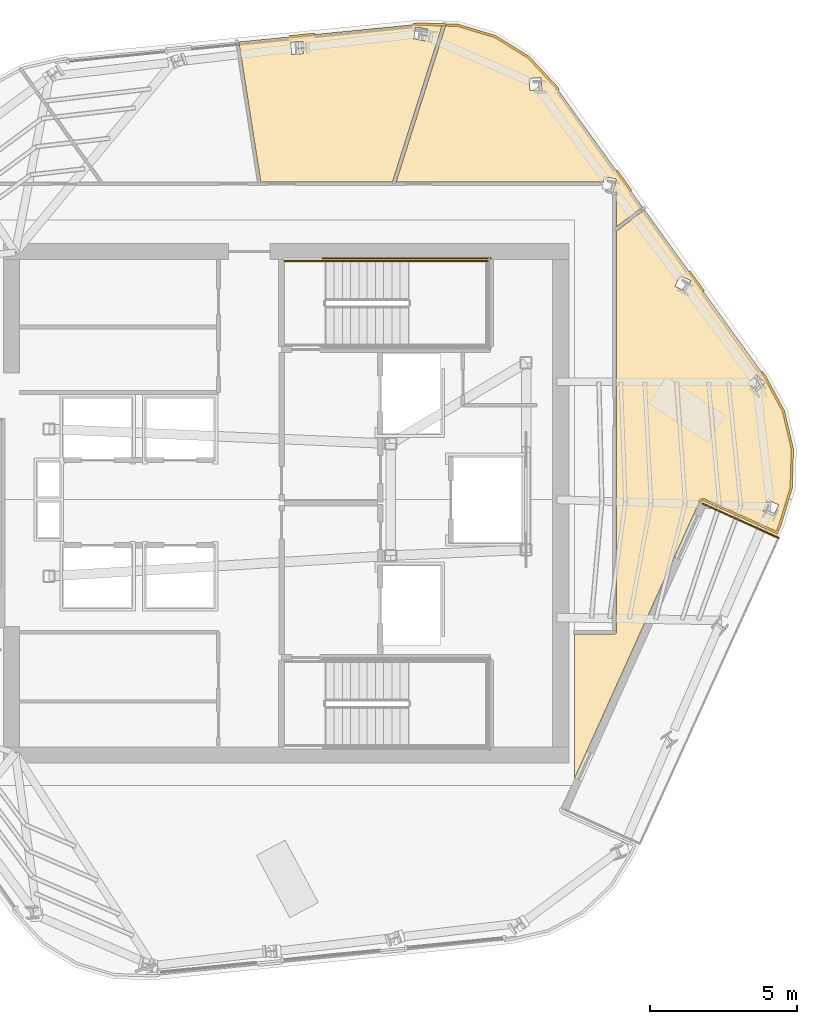
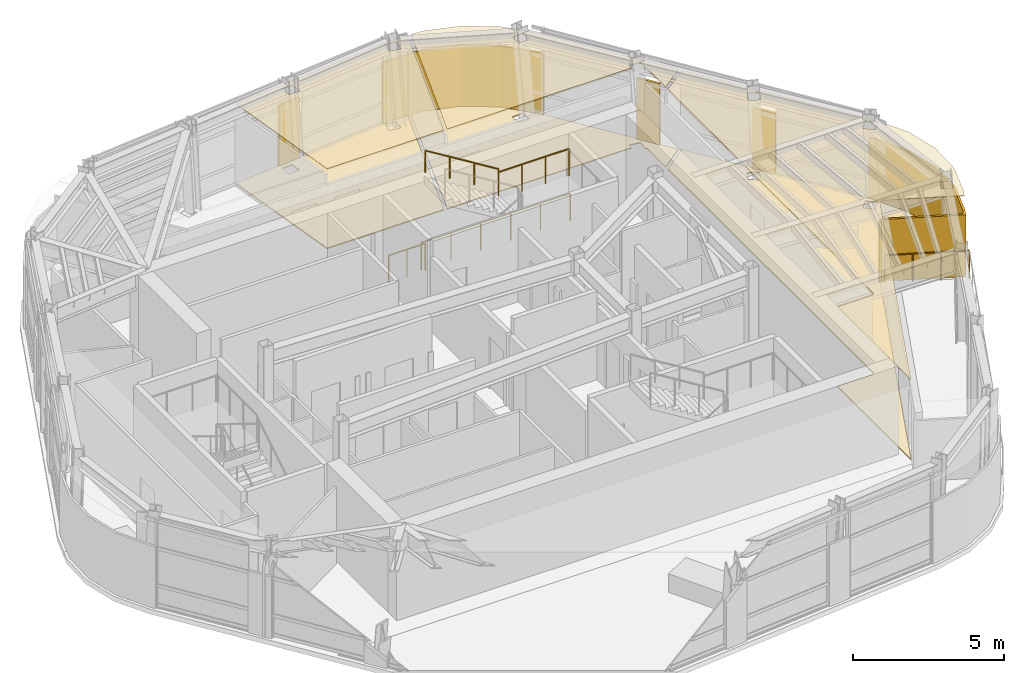
# One storey, part 11 of 12: 11 coverings, 5 railings.
"""IFC4 building model written with IfcOpenShell, lengths in metres."""

from ifc_helpers import new_model, si_unit, direction, frame, origin, origin_2d, place, context, subcontext, project, spatial, polyline, circle, outline, extrude, material, layer, layer_set, type_object, element, save


model = new_model("IFC4")

# Units and contexts
model_context = context("Model", 3, precision=1e-05, world=origin(), true_north=direction((0.0, 1.0)))
body_context = subcontext(model_context, "Body", "Model", "MODEL_VIEW")
ifc_project = project(units=[si_unit("LENGTHUNIT", "METRE"), si_unit("AREAUNIT", "SQUARE_METRE"), si_unit("VOLUMEUNIT", "CUBIC_METRE"), si_unit("PLANEANGLEUNIT", "RADIAN"), si_unit("MASSUNIT", "GRAM", prefix="KILO")], contexts=[model_context])

# Site, building, storey
site_placement = place(None, origin())
site = spatial("IfcSite", under=ifc_project, at=site_placement, CompositionType="ELEMENT")
building_placement = place(site_placement, origin())
building = spatial("IfcBuilding", under=site, at=building_placement, Name="Valkerne Bourse Tower", CompositionType="ELEMENT")
storey_placement = place(building_placement, frame((0.0, 0.0, 307.800048828125)))
storey = spatial("IfcBuildingStorey", under=building, at=storey_placement, Name="L78", CompositionType="ELEMENT", Elevation=307.800048828125)

# Coverings
ifc_material_1 = material(Name="Mineral Fiber Acoustic Ceiling Tile", Category="acoustic")
ifc_layer_1 = layer(ifc_material_1, 0.02490234375)
ifc_layer_set_1 = layer_set([ifc_layer_1], Name="Mineral Fiber Acoustic Ceiling Tile")
covering_type_1 = type_object("IfcCoveringType", Name="COV-CEIL-ACT", PredefinedType="CEILING", material=ifc_layer_set_1)
covering_1_placement = place(storey_placement, frame((0.0, 0.0, 3.22998046875)))
element("IfcCovering", 1, at=covering_1_placement, inside=storey, type_object=covering_type_1, Name="L78 Suspended Ceiling 04", PredefinedType="CEILING", context=body_context, shape_type="SweptSolid", body=[
    extrude(outline(polyline([(55.020263671875, 42.026611328125), (55.93017578125, 41.0576171875), (58.89990234375, 36.939208984375), (58.01904296875, 36.267822265625), (58.01513671875, 37.491455078125), (57.984130859375, 37.528564453125), (57.94384765625, 37.53369140625), (58.0087890625, 37.890380859375), (58.00732421875, 37.89208984375), (57.60498046875, 37.964599609375), (57.569091796875, 37.766845703125), (57.53857421875, 37.787109375), (50.535400390625, 37.7890625), (52.225341796875, 43.1162109375), (52.635498046875, 43.103515625), (53.898681640625, 42.721923828125), (55.020263671875, 42.026611328125)]), holes=[polyline([(55.456298828125, 41.33251953125), (55.454345703125, 41.333740234375), (55.046875, 41.302001953125), (55.07763671875, 40.896728515625), (55.07958984375, 40.8955078125), (55.487060546875, 40.92724609375), (55.456298828125, 41.33251953125)])]), origin(), (0.0, 0.0, 1.0), 0.02490234375),
])
covering_2_placement = place(storey_placement, frame((0.0, 0.0, 3.22998046875)))
element("IfcCovering", 2, at=covering_2_placement, inside=storey, type_object=covering_type_1, Name="L78 Suspended Ceiling 06", PredefinedType="CEILING", context=body_context, shape_type="SweptSolid", body=[
    extrude(outline(polyline([(50.41162109375, 37.7890625), (45.9423828125, 37.7890625), (45.197509765625, 42.54541015625), (51.306884765625, 43.145263671875), (52.102783203125, 43.1201171875), (50.41162109375, 37.7890625)]), holes=[polyline([(47.36962890625, 42.55712890625), (47.3671875, 42.557373046875), (46.96240234375, 42.529296875), (46.990478515625, 42.120849609375), (46.992919921875, 42.120849609375), (47.397705078125, 42.14892578125), (47.36962890625, 42.55712890625)]), polyline([(51.603759765625, 42.9765625), (51.6015625, 42.977294921875), (51.202880859375, 43.052734375), (51.12646484375, 42.650634765625), (51.12890625, 42.64990234375), (51.527587890625, 42.574462890625), (51.603759765625, 42.9765625)])]), origin(), (0.0, 0.0, 1.0), 0.02490234375),
])
covering_3_placement = place(storey_placement, frame((0.0, 0.0, 3.22998046875)))
element("IfcCovering", 3, at=covering_3_placement, inside=storey, type_object=covering_type_1, Name="L78 Suspended Ceiling 09", PredefinedType="CEILING", context=body_context, shape_type="SweptSolid", body=[
    extrude(outline(polyline([(57.95361328125, 22.43115234375), (57.99609375, 22.448486328125), (58.018310546875, 22.489990234375), (58.01904296875, 36.119384765625), (58.968994140625, 36.843505859375), (63.058837890625, 31.17138671875), (63.68701171875, 30.000244140625), (63.98828125, 28.715576171875), (63.94677734375, 27.396728515625), (63.5625, 26.12451171875), (63.456787109375, 25.89111328125), (61.017822265625, 26.992431640625), (60.96337890625, 27.005126953125), (60.907958984375, 26.995849609375), (60.8603515625, 26.96630859375), (60.833984375, 26.93310546875), (56.60009765625, 17.551025390625), (56.60009765625, 22.430908203125), (57.95361328125, 22.43115234375)]), holes=[polyline([(63.52880859375, 26.820068359375), (63.52880859375, 26.822509765625), (63.162109375, 26.997802734375), (62.9853515625, 26.62939453125), (62.985107421875, 26.626953125), (63.35205078125, 26.45166015625), (63.52880859375, 26.820068359375)]), polyline([(63.065185546875, 30.97509765625), (62.755126953125, 31.241455078125), (62.489501953125, 30.93359375), (62.489990234375, 30.931396484375), (62.800048828125, 30.6650390625), (63.065673828125, 30.972900390625), (63.065185546875, 30.97509765625)]), polyline([(60.546630859375, 34.434326171875), (60.17919921875, 34.61328125), (60.00048828125, 34.248291015625), (60.00146484375, 34.246337890625), (60.368896484375, 34.067138671875), (60.547607421875, 34.432373046875), (60.546630859375, 34.434326171875)])]), origin(), (0.0, 0.0, 1.0), 0.02490234375),
])
ifc_material_2 = material(Name="Bronze Anodised Aluminium AA 6063-T6", Category="aluminium")
ifc_layer_2 = layer(ifc_material_2, 0.06005859375)
ifc_layer_set_2 = layer_set([ifc_layer_2], Name="Bronze Anodised Aluminium AA 6063-T6")
covering_type_2 = type_object("IfcCoveringType", Name="COV-CRN-ALUM", PredefinedType="CLADDING", material=ifc_layer_set_2)
covering_4_placement = place(storey_placement, origin())
element("IfcCovering", 4, at=covering_4_placement, inside=storey, type_object=covering_type_2, Name="L78 Wind-Shaped Corner Aluminium Cladding 12", PredefinedType="CLADDING", context=body_context, shape_type="SweptSolid", body=[
    extrude(outline(polyline([(47.757568359375, 42.841064453125), (47.765380859375, 42.761474609375), (46.929443359375, 42.679443359375), (46.92138671875, 42.759033203125), (47.757568359375, 42.841064453125)])), origin(), (0.0, 0.0, 1.0), 2.5),
])
covering_5_placement = place(storey_placement, origin())
element("IfcCovering", 5, at=covering_5_placement, inside=storey, type_object=covering_type_2, Name="L78 Wind-Shaped Corner Aluminium Cladding 13", PredefinedType="CLADDING", context=body_context, shape_type="SweptSolid", body=[
    extrude(outline(polyline([(51.305419921875, 43.189208984375), (52.642578125, 43.147216796875), (53.9169921875, 42.762451171875), (55.04833984375, 42.060791015625), (55.964111328125, 41.085693359375), (56.0771484375, 40.92919921875), (56.01220703125, 40.88232421875), (55.90234375, 41.034912109375), (54.997314453125, 41.99853515625), (53.8837890625, 42.68896484375), (52.629638671875, 43.0673828125), (51.30810546875, 43.109130859375), (51.12109375, 43.0908203125), (51.11328125, 43.17041015625), (51.305419921875, 43.189208984375)])), origin(), (0.0, 0.0, 1.0), 2.5),
])
covering_6_placement = place(storey_placement, origin())
element("IfcCovering", 6, at=covering_6_placement, inside=storey, type_object=covering_type_2, Name="L78 Wind-Shaped Corner Aluminium Cladding 14", PredefinedType="CLADDING", context=body_context, shape_type="SweptSolid", body=[
    extrude(outline(polyline([(58.540771484375, 37.5126953125), (58.4755859375, 37.4658203125), (57.984375, 38.147216796875), (58.04931640625, 38.194091796875), (58.540771484375, 37.5126953125)])), origin(), (0.0, 0.0, 1.0), 2.5),
])
covering_7_placement = place(storey_placement, origin())
element("IfcCovering", 7, at=covering_7_placement, inside=storey, type_object=covering_type_2, Name="L78 Wind-Shaped Corner Aluminium Cladding 15", PredefinedType="CLADDING", context=body_context, shape_type="SweptSolid", body=[
    extrude(outline(polyline([(61.004150390625, 34.09619140625), (60.939208984375, 34.049560546875), (60.447998046875, 34.73095703125), (60.512939453125, 34.777587890625), (61.004150390625, 34.09619140625)])), origin(), (0.0, 0.0, 1.0), 2.5),
])
covering_8_placement = place(storey_placement, origin())
element("IfcCovering", 8, at=covering_8_placement, inside=storey, type_object=covering_type_2, Name="L78 Wind-Shaped Corner Aluminium Cladding 16", PredefinedType="CLADDING", context=body_context, shape_type="SweptSolid", body=[
    extrude(outline(polyline([(63.09619140625, 31.19482421875), (63.728515625, 30.01611328125), (64.0322265625, 28.719970703125), (63.990478515625, 27.389404296875), (63.60400390625, 26.10888671875), (63.478759765625, 25.8330078125), (61.0, 26.9521484375), (60.990966796875, 26.955810546875), (60.9814453125, 26.95849609375), (60.9716796875, 26.960205078125), (60.9619140625, 26.961181640625), (60.9521484375, 26.9609375), (60.9423828125, 26.959716796875), (60.932861328125, 26.957763671875), (60.923583984375, 26.95458984375), (60.91455078125, 26.95068359375), (60.906005859375, 26.946044921875), (60.89794921875, 26.9404296875), (60.890380859375, 26.93408203125), (60.883544921875, 26.927001953125), (60.87744140625, 26.919189453125), (60.872314453125, 26.910888671875), (60.867919921875, 26.90234375), (60.794921875, 26.935302734375), (60.802978515625, 26.950927734375), (60.8125, 26.9658203125), (60.823486328125, 26.9794921875), (60.835693359375, 26.9921875), (60.84912109375, 27.00390625), (60.863525390625, 27.013916015625), (60.879150390625, 27.0224609375), (60.895263671875, 27.029541015625), (60.912109375, 27.034912109375), (60.92919921875, 27.038818359375), (60.947021484375, 27.040771484375), (60.964599609375, 27.041015625), (60.982177734375, 27.03955078125), (60.99951171875, 27.03662109375), (61.0166015625, 27.031494140625), (61.032958984375, 27.025146484375), (63.43896484375, 25.938720703125), (63.52880859375, 26.13720703125), (63.910888671875, 27.402587890625), (63.951904296875, 28.7119140625), (63.653076171875, 29.9873046875), (63.0283203125, 31.15234375), (62.911376953125, 31.314453125), (62.976318359375, 31.361083984375), (63.09619140625, 31.19482421875)])), origin(), (0.0, 0.0, 1.0), 2.5),
])
ifc_material_3 = material(Name="Galvanised Painted Steel", Category="steel")
ifc_layer_3 = layer(ifc_material_3, 0.044921875)
ifc_layer_set_3 = layer_set([ifc_layer_3], Name="Galvanised Painted Steel")
covering_type_3 = type_object("IfcCoveringType", Name="COV-FLR-RAF", PredefinedType="FLOORING", material=ifc_layer_set_3)
covering_9_placement = place(storey_placement, origin())
element("IfcCovering", 9, at=covering_9_placement, inside=storey, type_object=covering_type_3, Name="L78 Floor Finish 06", PredefinedType="FLOORING", context=body_context, shape_type="SweptSolid", body=[
    extrude(outline(polyline([(50.41162109375, 37.7890625), (45.9423828125, 37.7890625), (45.197509765625, 42.54541015625), (51.306884765625, 43.145263671875), (52.102783203125, 43.1201171875), (50.41162109375, 37.7890625)]), holes=[polyline([(47.36962890625, 42.55712890625), (47.3671875, 42.557373046875), (46.96240234375, 42.529296875), (46.990478515625, 42.120849609375), (46.992919921875, 42.120849609375), (47.397705078125, 42.14892578125), (47.36962890625, 42.55712890625)]), polyline([(51.603759765625, 42.9765625), (51.6015625, 42.977294921875), (51.202880859375, 43.052734375), (51.12646484375, 42.650634765625), (51.12890625, 42.64990234375), (51.527587890625, 42.574462890625), (51.603759765625, 42.9765625)])]), origin(), (0.0, 0.0, 1.0), 0.044921875),
])
covering_10_placement = place(storey_placement, origin())
element("IfcCovering", 10, at=covering_10_placement, inside=storey, type_object=covering_type_3, Name="L78 Floor Finish 09", PredefinedType="FLOORING", context=body_context, shape_type="SweptSolid", body=[
    extrude(outline(polyline([(57.95361328125, 22.43115234375), (57.99609375, 22.448486328125), (58.018310546875, 22.489990234375), (58.01904296875, 36.119384765625), (58.968994140625, 36.843505859375), (63.058837890625, 31.17138671875), (63.68701171875, 30.000244140625), (63.98828125, 28.715576171875), (63.94677734375, 27.396728515625), (63.5625, 26.12451171875), (63.456787109375, 25.89111328125), (61.017822265625, 26.992431640625), (60.96337890625, 27.005126953125), (60.907958984375, 26.995849609375), (60.8603515625, 26.96630859375), (60.833984375, 26.93310546875), (56.60009765625, 17.551025390625), (56.60009765625, 22.430908203125), (57.95361328125, 22.43115234375)]), holes=[polyline([(63.52880859375, 26.820068359375), (63.52880859375, 26.822509765625), (63.162109375, 26.997802734375), (62.9853515625, 26.62939453125), (62.985107421875, 26.626953125), (63.35205078125, 26.45166015625), (63.52880859375, 26.820068359375)]), polyline([(63.065185546875, 30.97509765625), (62.755126953125, 31.241455078125), (62.489501953125, 30.93359375), (62.489990234375, 30.931396484375), (62.800048828125, 30.6650390625), (63.065673828125, 30.972900390625), (63.065185546875, 30.97509765625)]), polyline([(60.546630859375, 34.434326171875), (60.17919921875, 34.61328125), (60.00048828125, 34.248291015625), (60.00146484375, 34.246337890625), (60.368896484375, 34.067138671875), (60.547607421875, 34.432373046875), (60.546630859375, 34.434326171875)])]), origin(), (0.0, 0.0, 1.0), 0.044921875),
])
ifc_material_4 = material(Name="Polished Granite Stone", Category="masonry")
ifc_layer_4 = layer(ifc_material_4, 0.030029296875)
ifc_layer_set_4 = layer_set([ifc_layer_4], Name="Polished Granite Stone")
covering_type_4 = type_object("IfcCoveringType", Name="COV-FLR-TERRAZZO", PredefinedType="FLOORING", material=ifc_layer_set_4)
covering_11_placement = place(storey_placement, origin())
element("IfcCovering", 11, at=covering_11_placement, inside=storey, type_object=covering_type_4, Name="L78 Floor Finish 04", PredefinedType="FLOORING", context=body_context, shape_type="SweptSolid", body=[
    extrude(outline(polyline([(55.020263671875, 42.026611328125), (55.93017578125, 41.0576171875), (58.89990234375, 36.939208984375), (58.01904296875, 36.267822265625), (58.01513671875, 37.491455078125), (57.984130859375, 37.528564453125), (57.94384765625, 37.53369140625), (58.0087890625, 37.890380859375), (58.00732421875, 37.89208984375), (57.60498046875, 37.964599609375), (57.569091796875, 37.766845703125), (57.53857421875, 37.787109375), (50.535400390625, 37.7890625), (52.225341796875, 43.1162109375), (52.635498046875, 43.103515625), (53.898681640625, 42.721923828125), (55.020263671875, 42.026611328125)]), holes=[polyline([(55.456298828125, 41.33251953125), (55.454345703125, 41.333740234375), (55.046875, 41.302001953125), (55.07763671875, 40.896728515625), (55.07958984375, 40.8955078125), (55.487060546875, 40.92724609375), (55.456298828125, 41.33251953125)])]), origin(), (0.0, 0.0, 1.0), 0.030029296875),
])

# Railings
ifc_material_5 = material(Name="Laminated Tempered Safety Glass", Category="glass")
railing_type_1 = type_object("IfcRailingType", Name="RLG-GUARD-1150", PredefinedType="BALUSTRADE", material=ifc_material_5)
railing_1_placement = place(storey_placement, frame((60.958984375, 26.861083984375, 0.0)))
element("IfcRailing", 12, at=railing_1_placement, inside=storey, type_object=railing_type_1, Name="L78 V-Notch Terrace Glass Balustrade 2", PredefinedType="BALUSTRADE", context=body_context, shape_type="SweptSolid", body=[
    extrude(circle(Radius=0.02392578125, at=origin_2d()), frame((0.0, 0.0, 1.1259765625), z_axis=(0.91137793399, -0.411570481735, 0.0), x_axis=(0.411570481735, 0.91137793399, 0.0)), (0.0, 0.0, 1.0), 2.8193359375),
    extrude(circle(Radius=0.02099609375, at=origin_2d()), origin(), (0.0, 0.0, 1.0), 1.101806640625),
    extrude(circle(Radius=0.02099609375, at=origin_2d()), frame((0.8564453125, -0.38671875, 0.0)), (0.0, 0.0, 1.0), 1.101806640625),
    extrude(circle(Radius=0.02099609375, at=origin_2d()), frame((1.713134765625, -0.773681640625, 0.0)), (0.0, 0.0, 1.0), 1.101806640625),
    extrude(circle(Radius=0.02099609375, at=origin_2d()), frame((2.569580078125, -1.160400390625, 0.0)), (0.0, 0.0, 1.0), 1.101806640625),
])
railing_type_2 = type_object("IfcRailingType", Name="RLG-ST-GUARD-1120", PredefinedType="GUARDRAIL", material=ifc_material_3)
railing_2_placement = place(storey_placement, frame((50.949951171875, 35.10009765625, 1.89990234375)))
element("IfcRailing", 13, at=railing_2_placement, inside=storey, type_object=railing_type_2, Name="L78 ST-2 stair guard 4", PredefinedType="GUARDRAIL", context=body_context, shape_type="SweptSolid", body=[
    extrude(circle(Radius=0.02392578125, at=origin_2d()), frame((0.0, 0.0, 1.09619140625), z_axis=(1.0, 0.0, 0.0), x_axis=(0.0, 1.0, 0.0)), (0.0, 0.0, 1.0), 2.699951171875),
    extrude(circle(Radius=0.02099609375, at=origin_2d()), origin(), (0.0, 0.0, 1.0), 1.072021484375),
    extrude(circle(Radius=0.02099609375, at=origin_2d()), frame((0.89990234375, 0.0, 0.0)), (0.0, 0.0, 1.0), 1.072021484375),
    extrude(circle(Radius=0.02099609375, at=origin_2d()), frame((1.800048828125, 0.0, 0.0)), (0.0, 0.0, 1.0), 1.072021484375),
    extrude(circle(Radius=0.02099609375, at=origin_2d()), frame((2.699951171875, 0.0, 0.0)), (0.0, 0.0, 1.0), 1.072021484375),
])
railing_3_placement = place(storey_placement, frame((46.75, 35.10009765625, 0.0)))
element("IfcRailing", 14, at=railing_3_placement, inside=storey, type_object=railing_type_2, Name="L78 ST-2 stair guard 9", PredefinedType="GUARDRAIL", context=body_context, shape_type="SweptSolid", body=[
    extrude(circle(Radius=0.02392578125, at=origin_2d()), frame((0.0, 0.0, 1.09619140625), z_axis=(1.0, 0.0, 0.0), x_axis=(0.0, 1.0, 0.0)), (0.0, 0.0, 1.0), 1.39990234375),
    extrude(circle(Radius=0.02099609375, at=origin_2d()), origin(), (0.0, 0.0, 1.0), 1.072021484375),
    extrude(circle(Radius=0.02099609375, at=origin_2d()), frame((0.699951171875, 0.0, 0.0)), (0.0, 0.0, 1.0), 1.072021484375),
    extrude(circle(Radius=0.02099609375, at=origin_2d()), frame((1.39990234375, 0.0, 0.0)), (0.0, 0.0, 1.0), 1.072021484375),
])
railing_4_placement = place(storey_placement, frame((48.050048828125, 35.199951171875, 0.0)))
element("IfcRailing", 15, at=railing_4_placement, inside=storey, type_object=railing_type_2, Name="L78 ST-2 stair guard 11", PredefinedType="GUARDRAIL", context=body_context, shape_type="SweptSolid", body=[
    extrude(circle(Radius=0.02392578125, at=origin_2d()), frame((0.0, 0.0, 1.09619140625), z_axis=(1.0, 0.0, 0.0), x_axis=(0.0, 1.0, 0.0)), (0.0, 0.0, 1.0), 5.699951171875),
    extrude(circle(Radius=0.02099609375, at=origin_2d()), origin(), (0.0, 0.0, 1.0), 1.072021484375),
    extrude(circle(Radius=0.02099609375, at=origin_2d()), frame((1.139892578125, 0.0, 0.0)), (0.0, 0.0, 1.0), 1.072021484375),
    extrude(circle(Radius=0.02099609375, at=origin_2d()), frame((2.280029296875, 0.0, 0.0)), (0.0, 0.0, 1.0), 1.072021484375),
    extrude(circle(Radius=0.02099609375, at=origin_2d()), frame((3.419921875, 0.0, 0.0)), (0.0, 0.0, 1.0), 1.072021484375),
    extrude(circle(Radius=0.02099609375, at=origin_2d()), frame((4.56005859375, 0.0, 0.0)), (0.0, 0.0, 1.0), 1.072021484375),
    extrude(circle(Radius=0.02099609375, at=origin_2d()), frame((5.699951171875, 0.0, 0.0)), (0.0, 0.0, 1.0), 1.072021484375),
])
ifc_material_6 = material(Name="Stainless Steel AISI 316", Category="steel")
railing_type_3 = type_object("IfcRailingType", Name="RLG-ST-HANDRAIL-900", PredefinedType="HANDRAIL", material=ifc_material_6)
railing_5_placement = place(storey_placement, frame((50.949951171875, 35.10009765625, 2.245361328125)))
element("IfcRailing", 16, at=railing_5_placement, inside=storey, type_object=railing_type_3, Name="L78 ST-2 stair handrail 2", PredefinedType="HANDRAIL", context=body_context, shape_type="SweptSolid", body=[
    extrude(circle(Radius=0.02392578125, at=origin_2d()), frame((0.0, 0.0, 0.8759765625), z_axis=(-0.851089632645, 0.0, 0.525020415988), x_axis=(0.0, -1.0, 0.0)), (0.0, 0.0, 1.0), 3.2900390625),
    extrude(circle(Radius=0.02099609375, at=origin_2d()), origin(), (0.0, 0.0, 1.0), 0.851806640625),
    extrude(circle(Radius=0.02099609375, at=origin_2d()), frame((-0.933349609375, 0.0, 0.57568359375)), (0.0, 0.0, 1.0), 0.851806640625),
    extrude(circle(Radius=0.02099609375, at=origin_2d()), frame((-1.86669921875, 0.0, 1.151611328125)), (0.0, 0.0, 1.0), 0.851806640625),
    extrude(circle(Radius=0.02099609375, at=origin_2d()), frame((-2.800048828125, 0.0, 1.727294921875)), (0.0, 0.0, 1.0), 0.851806640625),
])

save(model, "model.ifc")
